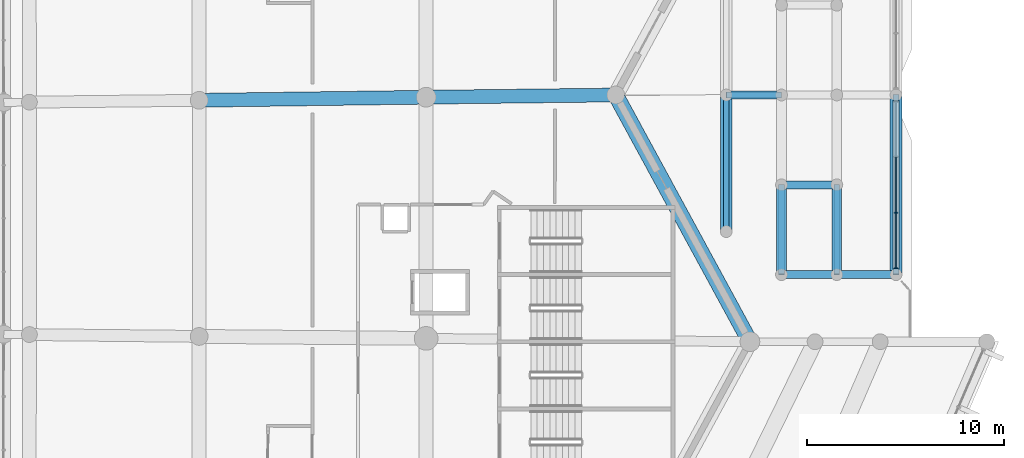
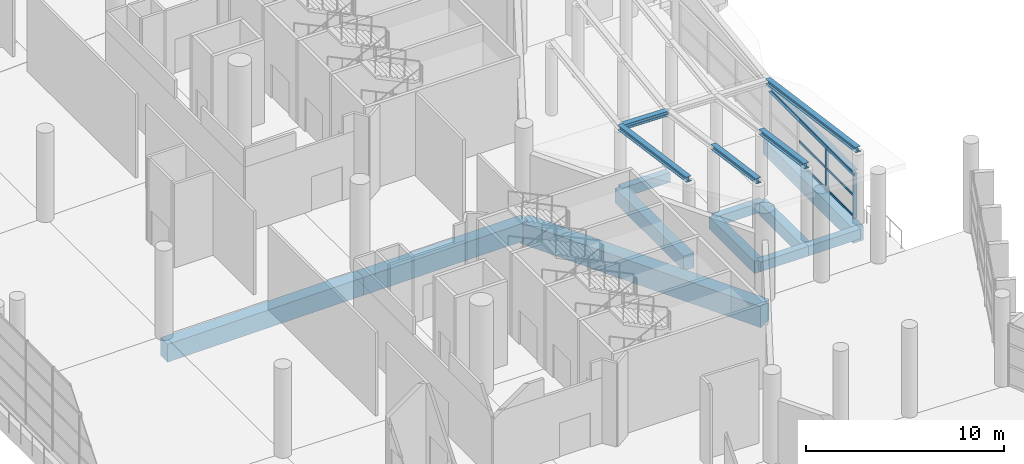
# One storey, part 65 of 271: 17 beams, 8 members, 1 element without a shape of its own.
"""IFC4 building model written with IfcOpenShell, lengths in metres."""

from ifc_helpers import new_model, si_unit, direction, frame, origin, origin_2d, place, context, subcontext, project, spatial, rectangle, i_section, extrude, material, layer, layer_set, material_profile, profile_set, type_object, element, aggregate, save


model = new_model("IFC4")

# Units and contexts
model_context = context("Model", 3, precision=1e-05, world=origin(), true_north=direction((0.0, 1.0)))
body_context = subcontext(model_context, "Body", "Model", "MODEL_VIEW")
ifc_project = project(units=[si_unit("LENGTHUNIT", "METRE"), si_unit("AREAUNIT", "SQUARE_METRE"), si_unit("VOLUMEUNIT", "CUBIC_METRE"), si_unit("PLANEANGLEUNIT", "RADIAN"), si_unit("MASSUNIT", "GRAM", prefix="KILO")], contexts=[model_context])

# Site, building, storey
site_placement = place(None, origin())
site = spatial("IfcSite", under=ifc_project, at=site_placement, CompositionType="ELEMENT")
building_placement = place(site_placement, origin())
building = spatial("IfcBuilding", under=site, at=building_placement, Name="Meseta Stadium", CompositionType="ELEMENT")
storey_placement = place(building_placement, frame((0.0, 0.0, 6.5)))
storey = spatial("IfcBuildingStorey", under=building, at=storey_placement, Name="L01", CompositionType="ELEMENT", Elevation=6.5)

# Beams
ifc_material_1 = material(Name="Steel S355", Category="steel")
ifc_material_profile_1 = material_profile(ifc_material_1, i_section(OverallWidth=0.300048828125, OverallDepth=0.300048828125, WebThickness=0.010986328125, FlangeThickness=0.01904296875, FilletRadius=0.027099609375, at=origin_2d()), Name="HEB 300")
ifc_profile_set_1 = profile_set([ifc_material_profile_1], Name="Steel S355")
beam_type_1 = type_object("IfcBeamType", Name="Gate roof beam HEB 300", PredefinedType="BEAM", material=ifc_profile_set_1)
beam_1_placement = place(storey_placement, frame((100.199951171875, 6.25, 3.327880859375), z_axis=(0.999800721691, 0.0, -0.019962888244), x_axis=(0.0, 1.0, 0.0)))
element("IfcBeam", 1, at=beam_1_placement, inside=storey, type_object=beam_type_1, Name="Gate 1 valley beam", PredefinedType="BEAM", context=body_context, shape_type="SweptSolid", body=[
    extrude(i_section(OverallWidth=0.300048828125, OverallDepth=0.300048828125, WebThickness=0.010986328125, FlangeThickness=0.01904296875, FilletRadius=0.027099609375, at=origin_2d()), origin(), (0.0, 0.0, 1.0), 2.800537109375),
])
beam_2_placement = place(storey_placement, frame((108.800048828125, -2.550048828125, 2.845947265625), z_axis=(0.0, 1.0, 0.0), x_axis=(-1.0, 0.0, 0.0)))
element("IfcBeam", 2, at=beam_2_placement, inside=storey, type_object=beam_type_1, Name="Gate 1 head beam", PredefinedType="BEAM", context=body_context, shape_type="SweptSolid", body=[
    extrude(i_section(OverallWidth=0.300048828125, OverallDepth=0.300048828125, WebThickness=0.010986328125, FlangeThickness=0.01904296875, FilletRadius=0.027099609375, at=origin_2d()), origin(), (0.0, 0.0, 1.0), 8.5),
])
ifc_material_2 = material(Name="Steel S355", Category="steel")
ifc_material_profile_2 = material_profile(ifc_material_2, i_section(OverallWidth=0.300048828125, OverallDepth=0.300048828125, WebThickness=0.010986328125, FlangeThickness=0.01904296875, FilletRadius=0.027099609375, at=origin_2d()), Name="HEB 300")
ifc_profile_set_2 = profile_set([ifc_material_profile_2], Name="Steel S355")
beam_type_2 = type_object("IfcBeamType", Name="Gate roof beam HEB 300 rafter", PredefinedType="BEAM", material=ifc_profile_set_2)
beam_3_placement = place(storey_placement, frame((100.199951171875, -0.66748046875, 4.29638671875), z_axis=(0.0, 0.990340594816, -0.138656071844), x_axis=(-1.0, 0.0, 0.0)))
element("IfcBeam", 3, at=beam_3_placement, inside=storey, type_object=beam_type_2, Name="Gate 1 roof rafter", PredefinedType="BEAM", context=body_context, shape_type="SweptSolid", body=[
    extrude(i_section(OverallWidth=0.300048828125, OverallDepth=0.300048828125, WebThickness=0.010986328125, FlangeThickness=0.01904296875, FilletRadius=0.027099609375, at=origin_2d()), origin(), (0.0, 0.0, 1.0), 6.98486328125),
])
for number, where, z_axis, x_axis, name in (
    (4, (103.0, -2.85009765625, 4.5458984375), (0.0, 0.99034305998, -0.138638463459), (-1.0, 0.0, 0.0), "Gate 1 roof rafter"),
    (5, (105.800048828125, -2.85009765625, 4.489990234375), (0.0, 0.99034305998, -0.138638463459), (-1.0, 0.0, 0.0), "Gate 1 roof rafter"),
):
    element("IfcBeam", number, at=place(storey_placement, frame(where, z_axis=z_axis, x_axis=x_axis)), inside=storey, type_object=beam_type_2, Name=name, PredefinedType="BEAM", context=body_context, shape_type="SweptSolid", body=[
        extrude(i_section(OverallWidth=0.300048828125, OverallDepth=0.300048828125, WebThickness=0.010986328125, FlangeThickness=0.01904296875, FilletRadius=0.027099609375, at=origin_2d()), origin(), (0.0, 0.0, 1.0), 4.594482421875),
    ])
beam_4_placement = place(storey_placement, frame((108.800048828125, -2.85009765625, 4.429931640625), z_axis=(0.0, 0.99034305998, -0.138638463459), x_axis=(-1.0, 0.0, 0.0)))
element("IfcBeam", 6, at=beam_4_placement, inside=storey, type_object=beam_type_2, Name="Gate 1 roof rafter", PredefinedType="BEAM", context=body_context, shape_type="SweptSolid", body=[
    extrude(i_section(OverallWidth=0.300048828125, OverallDepth=0.300048828125, WebThickness=0.010986328125, FlangeThickness=0.01904296875, FilletRadius=0.027099609375, at=origin_2d()), origin(), (0.0, 0.0, 1.0), 9.188720703125),
])
ifc_material_3 = material(Name="Concrete C40/50", Category="concrete")
ifc_material_profile_3 = material_profile(ifc_material_3, rectangle(XDim=0.39990234375, YDim=0.60009765625, at=origin_2d()), Name="RC 400x600")
ifc_profile_set_3 = profile_set([ifc_material_profile_3], Name="Concrete C40/50")
beam_type_3 = type_object("IfcBeamType", Name="RC beam 400x600", PredefinedType="BEAM", material=ifc_profile_set_3)
for number, where, z_axis, x_axis, name in (
    (7, (100.199951171875, 6.25, -0.64990234375), (1.0, 0.0, 0.0), (0.0, 1.0, 0.0), "Gate 1 floor beam"),
    (8, (103.0, -2.85009765625, -0.64990234375), (1.0, 0.0, 0.0), (0.0, 1.0, 0.0), "Gate 1 floor beam"),
    (9, (103.0, 1.699951171875, -0.64990234375), (1.0, 0.0, 0.0), (0.0, 1.0, 0.0), "Gate 1 floor beam"),
):
    element("IfcBeam", number, at=place(storey_placement, frame(where, z_axis=z_axis, x_axis=x_axis)), inside=storey, type_object=beam_type_3, Name=name, PredefinedType="BEAM", context=body_context, shape_type="SweptSolid", body=[
        extrude(rectangle(XDim=0.39990234375, YDim=0.60009765625, at=origin_2d()), origin(), (0.0, 0.0, 1.0), 2.800048828125),
    ])
beam_5_placement = place(storey_placement, frame((105.800048828125, -2.85009765625, -0.64990234375), z_axis=(1.0, 0.0, 0.0), x_axis=(0.0, 1.0, 0.0)))
element("IfcBeam", 10, at=beam_5_placement, inside=storey, type_object=beam_type_3, Name="Gate 1 floor beam", PredefinedType="BEAM", context=body_context, shape_type="SweptSolid", body=[
    extrude(rectangle(XDim=0.39990234375, YDim=0.60009765625, at=origin_2d()), origin(), (0.0, 0.0, 1.0), 3.0),
])
ifc_material_4 = material(Name="Concrete C40/50", Category="concrete")
ifc_material_profile_4 = material_profile(ifc_material_4, rectangle(XDim=0.5, YDim=0.75, at=origin_2d()), Name="RC 500x750")
ifc_profile_set_4 = profile_set([ifc_material_profile_4], Name="Concrete C40/50")
beam_type_4 = type_object("IfcBeamType", Name="RC beam 500x750", PredefinedType="BEAM", material=ifc_profile_set_4)
for number, where, z_axis, x_axis, name in (
    (11, (103.0, -2.85009765625, -0.72509765625), (0.0, 1.0, 0.0), (-1.0, 0.0, 0.0), "Gate 1 floor beam"),
    (12, (105.800048828125, -2.85009765625, -0.72509765625), (0.0, 1.0, 0.0), (-1.0, 0.0, 0.0), "Gate 1 floor beam"),
):
    element("IfcBeam", number, at=place(storey_placement, frame(where, z_axis=z_axis, x_axis=x_axis)), inside=storey, type_object=beam_type_4, Name=name, PredefinedType="BEAM", context=body_context, shape_type="SweptSolid", body=[
        extrude(rectangle(XDim=0.5, YDim=0.75, at=origin_2d()), origin(), (0.0, 0.0, 1.0), 4.550048828125),
    ])
ifc_material_5 = material(Name="Concrete C40/50", Category="concrete")
ifc_material_profile_5 = material_profile(ifc_material_5, rectangle(XDim=0.60009765625, YDim=0.89990234375, at=origin_2d()), Name="RC 600x900")
ifc_profile_set_5 = profile_set([ifc_material_profile_5], Name="Concrete C40/50")
beam_type_5 = type_object("IfcBeamType", Name="RC beam 600x900", PredefinedType="BEAM", material=ifc_profile_set_5)
beam_6_placement = place(storey_placement, frame((100.199951171875, -0.66748046875, -0.800048828125), z_axis=(0.0, 1.0, 0.0), x_axis=(-1.0, 0.0, 0.0)))
element("IfcBeam", 13, at=beam_6_placement, inside=storey, type_object=beam_type_5, Name="Gate 1 floor beam", PredefinedType="BEAM", context=body_context, shape_type="SweptSolid", body=[
    extrude(rectangle(XDim=0.60009765625, YDim=0.89990234375, at=origin_2d()), origin(), (0.0, 0.0, 1.0), 6.91748046875),
])
beam_7_placement = place(storey_placement, frame((108.800048828125, -2.85009765625, -0.800048828125), z_axis=(0.0, 1.0, 0.0), x_axis=(-1.0, 0.0, 0.0)))
element("IfcBeam", 14, at=beam_7_placement, inside=storey, type_object=beam_type_5, Name="Gate 1 floor beam", PredefinedType="BEAM", context=body_context, shape_type="SweptSolid", body=[
    extrude(rectangle(XDim=0.60009765625, YDim=0.89990234375, at=origin_2d()), origin(), (0.0, 0.0, 1.0), 9.10009765625),
])
ifc_material_6 = material(Name="Concrete C40/50", Category="concrete")
ifc_material_profile_6 = material_profile(ifc_material_6, rectangle(XDim=0.699951171875, YDim=1.10009765625, at=origin_2d()), Name="RC 700x1100")
ifc_profile_set_6 = profile_set([ifc_material_profile_6], Name="Concrete C40/50")
beam_type_6 = type_object("IfcBeamType", Name="RC beam 700x1100", PredefinedType="BEAM", material=ifc_profile_set_6)
beam_8_placement = place(storey_placement, frame((73.498046875, 5.981201171875, -0.89990234375), z_axis=(0.9999079826, 0.013565630592, 0.0), x_axis=(-0.013565630592, 0.9999079826, 0.0)))
element("IfcBeam", 15, at=beam_8_placement, inside=storey, type_object=beam_type_6, Name="L01 radial beam frame 5 line E to P", PredefinedType="BEAM", context=body_context, shape_type="SweptSolid", body=[
    extrude(rectangle(XDim=0.699951171875, YDim=1.10009765625, at=origin_2d()), origin(), (0.0, 0.0, 1.0), 11.5),
])
beam_9_placement = place(storey_placement, frame((84.9970703125, 6.13720703125, -0.89990234375), z_axis=(0.999931028004, 0.01174475352, 0.0), x_axis=(-0.01174475352, 0.999931028004, 0.0)))
element("IfcBeam", 16, at=beam_9_placement, inside=storey, type_object=beam_type_6, Name="L01 radial beam frame 5 line P to R", PredefinedType="BEAM", context=body_context, shape_type="SweptSolid", body=[
    extrude(rectangle(XDim=0.699951171875, YDim=1.10009765625, at=origin_2d()), origin(), (0.0, 0.0, 1.0), 9.603759765625),
])
ifc_material_7 = material(Name="Concrete C40/50", Category="concrete")
ifc_material_profile_7 = material_profile(ifc_material_7, rectangle(XDim=0.800048828125, YDim=1.300048828125, at=origin_2d()), Name="RC 800x1300")
ifc_profile_set_7 = profile_set([ifc_material_profile_7], Name="Concrete C40/50")
beam_type_7 = type_object("IfcBeamType", Name="RC beam 800x1300", PredefinedType="BEAM", material=ifc_profile_set_7)
beam_10_placement = place(storey_placement, frame((101.39990234375, -6.25, -1.0), z_axis=(-0.47785649891, 0.878437912689, 0.0), x_axis=(-0.878437912689, -0.47785649891, 0.0)))
element("IfcBeam", 17, at=beam_10_placement, inside=storey, type_object=beam_type_7, Name="L01 ring beam frame 4 line R", PredefinedType="BEAM", context=body_context, shape_type="SweptSolid", body=[
    extrude(rectangle(XDim=0.800048828125, YDim=1.300048828125, at=origin_2d()), origin(), (0.0, 0.0, 1.0), 14.229736328125),
])

# Curtain wall, members
ifc_material_8 = material(Name="Aluminium", Category="aluminium")
ifc_layer = layer(ifc_material_8, 0.199951171875)
ifc_layer_set = layer_set([ifc_layer], Name="Gate hall curtain wall")
curtain_wall_type = type_object("IfcCurtainWallType", Name="Gate hall curtain wall", PredefinedType="NOTDEFINED", material=ifc_layer_set)
curtain_wall_placement = place(storey_placement, origin())
curtain_wall = element("IfcCurtainWall", 18, at=curtain_wall_placement, inside=storey, type_object=curtain_wall_type, Name="Gate 1 hall glazing", PredefinedType="NOTDEFINED")
ifc_material_9 = material(Name="Aluminium", Category="aluminium")
ifc_material_profile_8 = material_profile(ifc_material_9, rectangle(XDim=0.199951171875, YDim=0.06005859375, at=origin_2d()), Name="CW 200x60")
ifc_profile_set_8 = profile_set([ifc_material_profile_8], Name="Aluminium")
member_type_1 = type_object("IfcMemberType", Name="Ring CW mullion 60x200", PredefinedType="MULLION", material=ifc_profile_set_8)
member_1_placement = place(storey_placement, frame((108.800048828125, 0.283447265625, 0.0), z_axis=(0.0, 0.0, 1.0), x_axis=(1.0, 0.0, 0.0)))
member_1 = element("IfcMember", 19, at=member_1_placement, type_object=member_type_1, Name="CWG1 mullion 3", PredefinedType="MULLION", context=body_context, shape_type="SweptSolid", body=[
    extrude(rectangle(XDim=0.199951171875, YDim=0.06005859375, at=origin_2d()), origin(), (0.0, 0.0, 1.0), 2.696044921875),
])
member_2_placement = place(storey_placement, frame((108.800048828125, -2.52001953125, 0.0), z_axis=(0.0, 0.0, 1.0), x_axis=(1.0, 0.0, 0.0)))
member_2 = element("IfcMember", 20, at=member_2_placement, type_object=member_type_1, Name="CWG1 mullion 4", PredefinedType="MULLION", context=body_context, shape_type="SweptSolid", body=[
    extrude(rectangle(XDim=0.199951171875, YDim=0.06005859375, at=origin_2d()), origin(), (0.0, 0.0, 1.0), 2.696044921875),
])
ifc_material_10 = material(Name="Aluminium", Category="aluminium")
ifc_material_profile_9 = material_profile(ifc_material_10, rectangle(XDim=0.06005859375, YDim=0.14990234375, at=origin_2d()), Name="CW 60x150")
ifc_profile_set_9 = profile_set([ifc_material_profile_9], Name="Aluminium")
member_type_2 = type_object("IfcMemberType", Name="Ring CW transom 60x150", PredefinedType="USERDEFINED", material=ifc_profile_set_9)
member_3_placement = place(storey_placement, frame((108.800048828125, 3.086669921875, 0.074951171875), z_axis=(0.0, -1.0, 0.0), x_axis=(1.0, 0.0, 0.0)))
member_3 = element("IfcMember", 21, at=member_3_placement, type_object=member_type_2, Name="CWG1 transom 2.1", ObjectType="TRANSOM", PredefinedType="USERDEFINED", context=body_context, shape_type="SweptSolid", body=[
    extrude(rectangle(XDim=0.06005859375, YDim=0.14990234375, at=origin_2d()), origin(), (0.0, 0.0, 1.0), 2.7734375),
])
member_4_placement = place(storey_placement, frame((108.800048828125, 3.086669921875, 1.347900390625), z_axis=(0.0, -1.0, 0.0), x_axis=(1.0, 0.0, 0.0)))
member_4 = element("IfcMember", 22, at=member_4_placement, type_object=member_type_2, Name="CWG1 transom 2.2", ObjectType="TRANSOM", PredefinedType="USERDEFINED", context=body_context, shape_type="SweptSolid", body=[
    extrude(rectangle(XDim=0.06005859375, YDim=0.14990234375, at=origin_2d()), origin(), (0.0, 0.0, 1.0), 2.7734375),
])
member_5_placement = place(storey_placement, frame((108.800048828125, 3.086669921875, 2.62109375), z_axis=(0.0, -1.0, 0.0), x_axis=(1.0, 0.0, 0.0)))
member_5 = element("IfcMember", 23, at=member_5_placement, type_object=member_type_2, Name="CWG1 transom 2.3", ObjectType="TRANSOM", PredefinedType="USERDEFINED", context=body_context, shape_type="SweptSolid", body=[
    extrude(rectangle(XDim=0.06005859375, YDim=0.14990234375, at=origin_2d()), origin(), (0.0, 0.0, 1.0), 2.7734375),
])
member_6_placement = place(storey_placement, frame((108.800048828125, 0.25341796875, 0.074951171875), z_axis=(0.0, -1.0, 0.0), x_axis=(1.0, 0.0, 0.0)))
member_6 = element("IfcMember", 24, at=member_6_placement, type_object=member_type_2, Name="CWG1 transom 3.1", ObjectType="TRANSOM", PredefinedType="USERDEFINED", context=body_context, shape_type="SweptSolid", body=[
    extrude(rectangle(XDim=0.06005859375, YDim=0.14990234375, at=origin_2d()), origin(), (0.0, 0.0, 1.0), 2.743408203125),
])
member_7_placement = place(storey_placement, frame((108.800048828125, 0.25341796875, 1.347900390625), z_axis=(0.0, -1.0, 0.0), x_axis=(1.0, 0.0, 0.0)))
member_7 = element("IfcMember", 25, at=member_7_placement, type_object=member_type_2, Name="CWG1 transom 3.2", ObjectType="TRANSOM", PredefinedType="USERDEFINED", context=body_context, shape_type="SweptSolid", body=[
    extrude(rectangle(XDim=0.06005859375, YDim=0.14990234375, at=origin_2d()), origin(), (0.0, 0.0, 1.0), 2.743408203125),
])
member_8_placement = place(storey_placement, frame((108.800048828125, 0.25341796875, 2.62109375), z_axis=(0.0, -1.0, 0.0), x_axis=(1.0, 0.0, 0.0)))
member_8 = element("IfcMember", 26, at=member_8_placement, type_object=member_type_2, Name="CWG1 transom 3.3", ObjectType="TRANSOM", PredefinedType="USERDEFINED", context=body_context, shape_type="SweptSolid", body=[
    extrude(rectangle(XDim=0.06005859375, YDim=0.14990234375, at=origin_2d()), origin(), (0.0, 0.0, 1.0), 2.743408203125),
])
aggregate(curtain_wall, [member_1, member_2, member_3, member_4, member_5, member_6, member_7, member_8])

save(model, "model.ifc")
